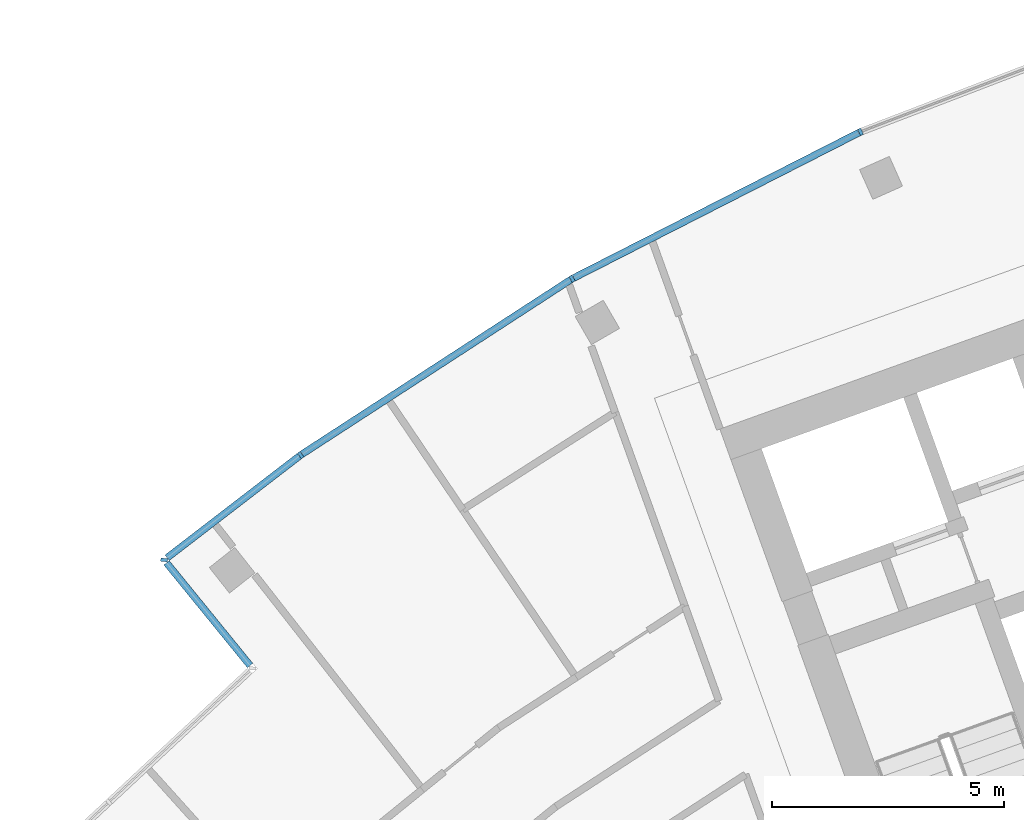
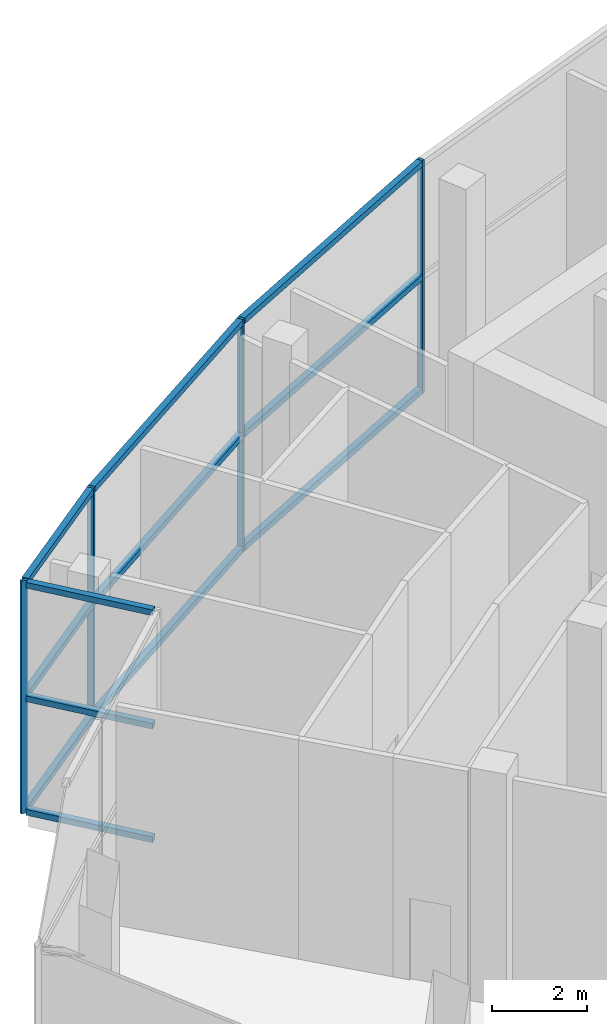
# One storey, part 3 of 18: 16 members, 2 elements without a shape of their own.
"""IFC4 building model written with IfcOpenShell, lengths in metres."""

import ifcopenshell
import ifcopenshell.guid

model = None  # the IFC model being written
_history = None  # IfcOwnerHistory: only IFC2X3 demands one
_inside = {}  # id of a spatial element -> (the spatial element, [elements in it])
_under = {}  # id of a project, library or spatial element -> (it, [spatial elements below it])
_declared = {}  # id of a project -> (the project, [libraries it declares])
_typed = {}  # id of a type object -> (the type object, [elements of that type])
_made_of = {}  # id of a material, layer set ... -> (it, [elements and type objects made of it])


def new_model(schema):
    """Start an empty IFC model of exactly this schema.

    Asked for "IFC4X3", IfcOpenShell would pick the latest addendum, in which some entities
    have other attributes; the version numbers below select the first issue.
    IFC2X3 requires an IfcOwnerHistory on every rooted entity: one is made here for all.
    """
    global model, _history
    if schema == "IFC4X3":
        model = ifcopenshell.file(schema_version=(4, 3, 0, 0))
    else:
        model = ifcopenshell.file(schema=schema)
    _inside.clear()
    _under.clear()
    _declared.clear()
    _typed.clear()
    _made_of.clear()
    _history = None
    if model.schema == "IFC2X3":
        org = make("IfcOrganization", Name="unknown")
        user = make(
            "IfcPersonAndOrganization",
            ThePerson=make("IfcPerson", FamilyName="unknown"),
            TheOrganization=org,
        )
        app = make(
            "IfcApplication",
            ApplicationDeveloper=org,
            Version="unknown",
            ApplicationFullName="unknown",
            ApplicationIdentifier="unknown",
        )
        _history = make(
            "IfcOwnerHistory",
            OwningUser=user,
            OwningApplication=app,
            ChangeAction="ADDED",
            CreationDate=0,
        )
    return model


def make(cls, **values):
    """One entity of the class cls with the attributes given. An attribute that is None is left unset."""
    return model.create_entity(
        cls, **{name: value for name, value in values.items() if value is not None}
    )


def rooted(cls, **values):
    """An entity with a GlobalId (a new one), such as an element, a storey or a relation."""
    return make(cls, GlobalId=ifcopenshell.guid.new(), OwnerHistory=_history, **values)


def si_unit(unit_type, name, prefix=None):
    """IfcSIUnit, for example si_unit("LENGTHUNIT", "METRE", prefix="MILLI")."""
    return make("IfcSIUnit", UnitType=unit_type, Prefix=prefix, Name=name)


def assignment(units):
    """IfcUnitAssignment: the units of a project."""
    return None if units is None else make("IfcUnitAssignment", Units=units)


def point(xyz):
    """IfcCartesianPoint."""
    return None if xyz is None else make("IfcCartesianPoint", Coordinates=xyz)


def direction(xyz):
    """IfcDirection."""
    return None if xyz is None else make("IfcDirection", DirectionRatios=xyz)


def frame(location, z_axis=None, x_axis=None):
    """IfcAxis2Placement3D, a coordinate frame: its origin and axes. An axis left out is left unset."""
    return make(
        "IfcAxis2Placement3D",
        Location=point(location),
        Axis=direction(z_axis),
        RefDirection=direction(x_axis),
    )


def frame_2d(location, x_axis=None):
    """IfcAxis2Placement2D, a coordinate frame in the plane: its origin and x axis."""
    return make(
        "IfcAxis2Placement2D", Location=point(location), RefDirection=direction(x_axis)
    )


def origin():
    """The frame at (0, 0, 0) with its axes left unset."""
    return frame((0.0, 0.0, 0.0))


def origin_2d():
    """The frame at (0, 0) in the plane with its x axis left unset."""
    return frame_2d((0.0, 0.0))


def place(relative_to, where):
    """IfcLocalPlacement: puts the frame where relative to a parent placement (None: the world)."""
    return make(
        "IfcLocalPlacement", PlacementRelTo=relative_to, RelativePlacement=where
    )


def context(
    kind, dimensions, precision=None, world=None, true_north=None, identifier=None
):
    """IfcGeometricRepresentationContext, for example the 3D "Model" context."""
    return make(
        "IfcGeometricRepresentationContext",
        ContextIdentifier=identifier,
        ContextType=kind,
        CoordinateSpaceDimension=dimensions,
        Precision=precision,
        WorldCoordinateSystem=world,
        TrueNorth=true_north,
    )


def subcontext(parent, identifier, kind, view, scale=None):
    """IfcGeometricRepresentationSubContext, for example "Body" below "Model"."""
    return make(
        "IfcGeometricRepresentationSubContext",
        ContextIdentifier=identifier,
        ContextType=kind,
        ParentContext=parent,
        TargetScale=scale,
        TargetView=view,
    )


def project(units=None, contexts=None):
    """IfcProject with its units and contexts."""
    return rooted(
        "IfcProject",
        Name="project",
        RepresentationContexts=contexts,
        UnitsInContext=assignment(units),
    )


def spatial(cls, under=None, at=None, **own):
    """A site, building, storey or space (cls), placed at a placement, below another one or the project."""
    s = rooted(cls, ObjectPlacement=at, **own)
    if under is not None:
        _under.setdefault(under.id(), (under, []))[1].append(s)
    return s


def profile(cls, at=None, kind="AREA", **sizes):
    """A parametric profile (cls). Its sizes go by their IFC names, for example OverallWidth=200.0."""
    return make(cls, ProfileType=kind, Position=at, **sizes)


def rectangle(**sizes):
    """IfcRectangleProfileDef."""
    return profile("IfcRectangleProfileDef", **sizes)


def extrude(swept, where, along, depth):
    """IfcExtrudedAreaSolid: the profile swept, set in the frame where, extruded along a direction by depth."""
    return make(
        "IfcExtrudedAreaSolid",
        SweptArea=swept,
        Position=where,
        ExtrudedDirection=direction(along),
        Depth=depth,
    )


def shape(context_of_items, identifier, shape_type, items):
    """IfcShapeRepresentation: the items that make up one representation, for example the "Body"."""
    return make(
        "IfcShapeRepresentation",
        ContextOfItems=context_of_items,
        RepresentationIdentifier=identifier,
        RepresentationType=shape_type,
        Items=items,
    )


def material(Name=None, Category=None):
    """IfcMaterial."""
    return make("IfcMaterial", Name=Name, Category=Category)


def layer(
    of_material, thickness, ventilated=None, Name=None, Category=None, Priority=None
):
    """IfcMaterialLayer: one layer of a wall or slab, of a material (None: an air gap)."""
    return make(
        "IfcMaterialLayer",
        Material=of_material,
        LayerThickness=thickness,
        IsVentilated=ventilated,
        Name=Name,
        Category=Category,
        Priority=Priority,
    )


def layer_set(layers, Name=None):
    """IfcMaterialLayerSet."""
    return make("IfcMaterialLayerSet", MaterialLayers=layers, LayerSetName=Name)


def material_profile(
    of_material, cross_section, Name=None, Category=None, Priority=None
):
    """IfcMaterialProfile: a cross section and its material."""
    return make(
        "IfcMaterialProfile",
        Name=Name,
        Material=of_material,
        Profile=cross_section,
        Priority=Priority,
        Category=Category,
    )


def profile_set(profiles, Name=None, composite=None):
    """IfcMaterialProfileSet."""
    return make(
        "IfcMaterialProfileSet",
        Name=Name,
        MaterialProfiles=profiles,
        CompositeProfile=composite,
    )


def made_of(thing, what):
    """Note that an element or type object is made of a material, layer set ...; save() writes the relation."""
    if what is not None:
        _made_of.setdefault(what.id(), (what, []))[1].append(thing)
    return thing


def type_object(cls, material=None, **own):
    """A type object (cls), such as IfcWallType, which elements share."""
    return made_of(rooted(cls, **own), material)


def element(
    cls,
    number,
    at=None,
    inside=None,
    cuts=None,
    type_object=None,
    material=None,
    context=None,
    identifier="Body",
    shape_type=None,
    held_by="IfcProductDefinitionShape",
    body=None,
    shapes=None,
    **own,
):
    """One element of the class cls, such as IfcWall. Its Tag is "e" and its number.

    at: its placement. inside: the storey or other place that contains it. cuts: it is an
    opening in that element (IfcRelVoidsElement). A single representation is given by context,
    identifier, shape_type and body (its items); several are given by shapes. held_by: the class
    of the entity that holds the representations. save() writes the other relations.
    """
    e = rooted(cls, Tag="e%d" % number, ObjectPlacement=at, **own)
    if body is not None:
        shapes = [shape(context, identifier, shape_type, body)]
    if shapes is not None:
        e.Representation = make(held_by, Representations=shapes)
    if inside is not None:
        _inside.setdefault(inside.id(), (inside, []))[1].append(e)
    if cuts is not None:
        rooted(
            "IfcRelVoidsElement", RelatingBuildingElement=cuts, RelatedOpeningElement=e
        )
    if type_object is not None:
        _typed.setdefault(type_object.id(), (type_object, []))[1].append(e)
    return made_of(e, material)


def aggregate(whole, parts):
    """IfcRelAggregates: a whole, such as a stair, and the parts it consists of."""
    return rooted("IfcRelAggregates", RelatingObject=whole, RelatedObjects=parts)


def save(model, path):
    """Write the relations noted so far, then the file.

    IfcRelAggregates (storeys below a building ...), IfcRelContainedInSpatialStructure (elements
    in a storey), IfcRelDefinesByType, IfcRelAssociatesMaterial and IfcRelDeclares: one each for
    every whole, place, type object, material and project.
    """
    for whole, parts in _under.values():
        aggregate(whole, parts)
    for where, things in _inside.values():
        rooted(
            "IfcRelContainedInSpatialStructure",
            RelatedElements=things,
            RelatingStructure=where,
        )
    for kind, things in _typed.values():
        rooted("IfcRelDefinesByType", RelatedObjects=things, RelatingType=kind)
    for what, things in _made_of.values():
        rooted("IfcRelAssociatesMaterial", RelatedObjects=things, RelatingMaterial=what)
    for by, libraries in _declared.values():
        rooted("IfcRelDeclares", RelatingContext=by, RelatedDefinitions=libraries)
    model.write(path)


model = new_model("IFC4")

# Units and contexts
model_context = context("Model", 3, precision=1e-05, world=origin(), true_north=direction((0.0, 1.0)))
body_context = subcontext(model_context, "Body", "Model", "MODEL_VIEW")
ifc_project = project(units=[si_unit("LENGTHUNIT", "METRE"), si_unit("AREAUNIT", "SQUARE_METRE"), si_unit("VOLUMEUNIT", "CUBIC_METRE"), si_unit("PLANEANGLEUNIT", "RADIAN"), si_unit("MASSUNIT", "GRAM", prefix="KILO")], contexts=[model_context])

# Site, building, storey
site_placement = place(None, origin())
site = spatial("IfcSite", under=ifc_project, at=site_placement, CompositionType="ELEMENT")
building_placement = place(site_placement, origin())
building = spatial("IfcBuilding", under=site, at=building_placement, Name="Stone Belt Terrace Tower", CompositionType="ELEMENT")
storey_placement = place(building_placement, frame((0.0, 0.0, 307.39990234375)))
storey = spatial("IfcBuildingStorey", under=building, at=storey_placement, Name="L75", CompositionType="ELEMENT", Elevation=307.39990234375)

# Curtain wall, members
ifc_material = material(Name="Aluminium 6063-T6 anodised frame", Category="aluminium")
ifc_layer = layer(ifc_material, 0.14990234375)
ifc_layer_set = layer_set([ifc_layer], Name="CW-F observation floor curtain wall")
curtain_wall_type = type_object("IfcCurtainWallType", Name="CW-F observation floor curtain wall", PredefinedType="NOTDEFINED", material=ifc_layer_set)
curtain_wall_1_placement = place(storey_placement, origin())
curtain_wall_1 = element("IfcCurtainWall", 1, at=curtain_wall_1_placement, inside=storey, type_object=curtain_wall_type, Name="CW-F convex face L75", PredefinedType="NOTDEFINED")
ifc_material_profile_1 = material_profile(ifc_material, rectangle(XDim=0.14990234375, YDim=0.070068359375, at=origin_2d()), Name="Aluminium 6063-T6 70x150")
ifc_profile_set_1 = profile_set([ifc_material_profile_1], Name="Aluminium 6063-T6 anodised frame")
member_type_1 = type_object("IfcMemberType", Name="CW-F mullion 70 x 150", PredefinedType="MULLION", material=ifc_profile_set_1)
member_1_placement = place(storey_placement, frame((-27.07861328125, 60.8193359375, 0.0), z_axis=(0.0, 0.0, 1.0), x_axis=(0.406736643076, -0.913545457643, 0.0)))
member_1 = element("IfcMember", 2, at=member_1_placement, type_object=member_type_1, Name="CW-F mullion 12", PredefinedType="MULLION", context=body_context, shape_type="SweptSolid", body=[
    extrude(rectangle(XDim=0.14990234375, YDim=0.070068359375, at=origin_2d()), origin(), (0.0, 0.0, 1.0), 6.0),
])
member_2_placement = place(storey_placement, frame((-33.28759765625, 57.65576171875, 0.0), z_axis=(0.0, 0.0, 1.0), x_axis=(0.5, -0.866025403784, 0.0)))
member_2 = element("IfcMember", 3, at=member_2_placement, type_object=member_type_1, Name="CW-F mullion 13", PredefinedType="MULLION", context=body_context, shape_type="SweptSolid", body=[
    extrude(rectangle(XDim=0.14990234375, YDim=0.070068359375, at=origin_2d()), origin(), (0.0, 0.0, 1.0), 6.0),
])
member_3_placement = place(storey_placement, frame((-39.131103515625, 53.86083984375, 0.0), z_axis=(0.0, 0.0, 1.0), x_axis=(0.577587125789, -0.816329046477, 0.0)))
member_3 = element("IfcMember", 4, at=member_3_placement, type_object=member_type_1, Name="CW-F mullion 14", PredefinedType="MULLION", context=body_context, shape_type="SweptSolid", body=[
    extrude(rectangle(XDim=0.14990234375, YDim=0.070068359375, at=origin_2d()), origin(), (0.0, 0.0, 1.0), 6.0),
])

# Curtain wall, member
curtain_wall_2_placement = place(storey_placement, origin())
curtain_wall_2 = element("IfcCurtainWall", 5, at=curtain_wall_2_placement, inside=storey, type_object=curtain_wall_type, Name="CW-F notch face L75", PredefinedType="NOTDEFINED")
member_4_placement = place(storey_placement, frame((-42.068359375, 51.60205078125, 0.0), z_axis=(0.0, 0.0, 1.0), x_axis=(0.993258004644, -0.115924700604, 0.0)))
member_4 = element("IfcMember", 6, at=member_4_placement, type_object=member_type_1, Name="CW-F mullion 1", PredefinedType="MULLION", context=body_context, shape_type="SweptSolid", body=[
    extrude(rectangle(XDim=0.14990234375, YDim=0.070068359375, at=origin_2d()), origin(), (0.0, 0.0, 1.0), 6.0),
])

# Member
ifc_material_profile_2 = material_profile(ifc_material, rectangle(XDim=0.14990234375, YDim=0.14990234375, at=origin_2d()), Name="Aluminium 6063-T6 150x150")
ifc_profile_set_2 = profile_set([ifc_material_profile_2], Name="Aluminium 6063-T6 anodised frame")
member_type_2 = type_object("IfcMemberType", Name="CW-F transom 150 x 150", PredefinedType="USERDEFINED", material=ifc_profile_set_2)
member_5_placement = place(storey_placement, frame((-27.11328125, 60.8017578125, 0.0751953125), z_axis=(-0.891000017498, -0.454003269613, 0.0), x_axis=(0.454003269613, -0.891000017498, 0.0)))
member_5 = element("IfcMember", 7, at=member_5_placement, type_object=member_type_2, Name="CW-F transom 12.1", ObjectType="TRANSOM", PredefinedType="USERDEFINED", context=body_context, shape_type="SweptSolid", body=[
    extrude(rectangle(XDim=0.14990234375, YDim=0.14990234375, at=origin_2d()), origin(), (0.0, 0.0, 1.0), 6.890625),
])

member_6_placement = place(storey_placement, frame((-27.11328125, 60.8017578125, 3.0), z_axis=(-0.891000017498, -0.454003269613, 0.0), x_axis=(0.454003269613, -0.891000017498, 0.0)))
member_6 = element("IfcMember", 8, at=member_6_placement, type_object=member_type_2, Name="CW-F transom 12.2", ObjectType="TRANSOM", PredefinedType="USERDEFINED", context=body_context, shape_type="SweptSolid", body=[
    extrude(rectangle(XDim=0.14990234375, YDim=0.14990234375, at=origin_2d()), origin(), (0.0, 0.0, 1.0), 6.890625),
])

member_7_placement = place(storey_placement, frame((-27.11328125, 60.8017578125, 5.925048828125), z_axis=(-0.891000017498, -0.454003269613, 0.0), x_axis=(0.454003269613, -0.891000017498, 0.0)))
member_7 = element("IfcMember", 9, at=member_7_placement, type_object=member_type_2, Name="CW-F transom 12.3", ObjectType="TRANSOM", PredefinedType="USERDEFINED", context=body_context, shape_type="SweptSolid", body=[
    extrude(rectangle(XDim=0.14990234375, YDim=0.14990234375, at=origin_2d()), origin(), (0.0, 0.0, 1.0), 6.890625),
])

member_8_placement = place(storey_placement, frame((-33.320068359375, 57.634521484375, 0.0751953125), z_axis=(-0.838672625504, -0.54463586664, 0.0), x_axis=(0.54463586664, -0.838672625504, 0.0)))
member_8 = element("IfcMember", 10, at=member_8_placement, type_object=member_type_2, Name="CW-F transom 13.1", ObjectType="TRANSOM", PredefinedType="USERDEFINED", context=body_context, shape_type="SweptSolid", body=[
    extrude(rectangle(XDim=0.14990234375, YDim=0.14990234375, at=origin_2d()), origin(), (0.0, 0.0, 1.0), 6.890625),
])

member_9_placement = place(storey_placement, frame((-33.320068359375, 57.634521484375, 3.0), z_axis=(-0.838672625504, -0.54463586664, 0.0), x_axis=(0.54463586664, -0.838672625504, 0.0)))
member_9 = element("IfcMember", 11, at=member_9_placement, type_object=member_type_2, Name="CW-F transom 13.2", ObjectType="TRANSOM", PredefinedType="USERDEFINED", context=body_context, shape_type="SweptSolid", body=[
    extrude(rectangle(XDim=0.14990234375, YDim=0.14990234375, at=origin_2d()), origin(), (0.0, 0.0, 1.0), 6.890625),
])

member_10_placement = place(storey_placement, frame((-33.320068359375, 57.634521484375, 5.925048828125), z_axis=(-0.838672625504, -0.54463586664, 0.0), x_axis=(0.54463586664, -0.838672625504, 0.0)))
member_10 = element("IfcMember", 12, at=member_10_placement, type_object=member_type_2, Name="CW-F transom 13.3", ObjectType="TRANSOM", PredefinedType="USERDEFINED", context=body_context, shape_type="SweptSolid", body=[
    extrude(rectangle(XDim=0.14990234375, YDim=0.14990234375, at=origin_2d()), origin(), (0.0, 0.0, 1.0), 6.890625),
])

member_11_placement = place(storey_placement, frame((-39.1611328125, 53.837646484375, 0.0751953125), z_axis=(-0.792709954988, -0.609598988896, 0.0), x_axis=(0.609598988896, -0.792709954988, 0.0)))
member_11 = element("IfcMember", 13, at=member_11_placement, type_object=member_type_2, Name="CW-F transom 14.1", ObjectType="TRANSOM", PredefinedType="USERDEFINED", context=body_context, shape_type="SweptSolid", body=[
    extrude(rectangle(XDim=0.14990234375, YDim=0.14990234375, at=origin_2d()), origin(), (0.0, 0.0, 1.0), 3.589111328125),
])

member_12_placement = place(storey_placement, frame((-39.1611328125, 53.837646484375, 3.0), z_axis=(-0.792709954988, -0.609598988896, 0.0), x_axis=(0.609598988896, -0.792709954988, 0.0)))
member_12 = element("IfcMember", 14, at=member_12_placement, type_object=member_type_2, Name="CW-F transom 14.2", ObjectType="TRANSOM", PredefinedType="USERDEFINED", context=body_context, shape_type="SweptSolid", body=[
    extrude(rectangle(XDim=0.14990234375, YDim=0.14990234375, at=origin_2d()), origin(), (0.0, 0.0, 1.0), 3.589111328125),
])

member_13_placement = place(storey_placement, frame((-39.1611328125, 53.837646484375, 5.925048828125), z_axis=(-0.792709954988, -0.609598988896, 0.0), x_axis=(0.609598988896, -0.792709954988, 0.0)))
member_13 = element("IfcMember", 15, at=member_13_placement, type_object=member_type_2, Name="CW-F transom 14.3", ObjectType="TRANSOM", PredefinedType="USERDEFINED", context=body_context, shape_type="SweptSolid", body=[
    extrude(rectangle(XDim=0.14990234375, YDim=0.14990234375, at=origin_2d()), origin(), (0.0, 0.0, 1.0), 3.589111328125),
])

aggregate(curtain_wall_1, [member_1, member_2, member_3, member_5, member_6, member_7, member_8, member_9, member_10, member_11, member_12, member_13])

member_14_placement = place(storey_placement, frame((-42.01904296875, 51.541259765625, 0.0751953125), z_axis=(0.631011505473, -0.775773472066, 0.0), x_axis=(0.775773472066, 0.631011505473, 0.0)))
member_14 = element("IfcMember", 16, at=member_14_placement, type_object=member_type_2, Name="CW-F transom 1.1", ObjectType="TRANSOM", PredefinedType="USERDEFINED", context=body_context, shape_type="SweptSolid", body=[
    extrude(rectangle(XDim=0.14990234375, YDim=0.14990234375, at=origin_2d()), origin(), (0.0, 0.0, 1.0), 2.851806640625),
])

member_15_placement = place(storey_placement, frame((-42.01904296875, 51.541259765625, 3.0), z_axis=(0.631011505473, -0.775773472066, 0.0), x_axis=(0.775773472066, 0.631011505473, 0.0)))
member_15 = element("IfcMember", 17, at=member_15_placement, type_object=member_type_2, Name="CW-F transom 1.2", ObjectType="TRANSOM", PredefinedType="USERDEFINED", context=body_context, shape_type="SweptSolid", body=[
    extrude(rectangle(XDim=0.14990234375, YDim=0.14990234375, at=origin_2d()), origin(), (0.0, 0.0, 1.0), 2.851806640625),
])

member_16_placement = place(storey_placement, frame((-42.01904296875, 51.541259765625, 5.925048828125), z_axis=(0.631011505473, -0.775773472066, 0.0), x_axis=(0.775773472066, 0.631011505473, 0.0)))
member_16 = element("IfcMember", 18, at=member_16_placement, type_object=member_type_2, Name="CW-F transom 1.3", ObjectType="TRANSOM", PredefinedType="USERDEFINED", context=body_context, shape_type="SweptSolid", body=[
    extrude(rectangle(XDim=0.14990234375, YDim=0.14990234375, at=origin_2d()), origin(), (0.0, 0.0, 1.0), 2.851806640625),
])

aggregate(curtain_wall_2, [member_4, member_14, member_15, member_16])

save(model, "model.ifc")
